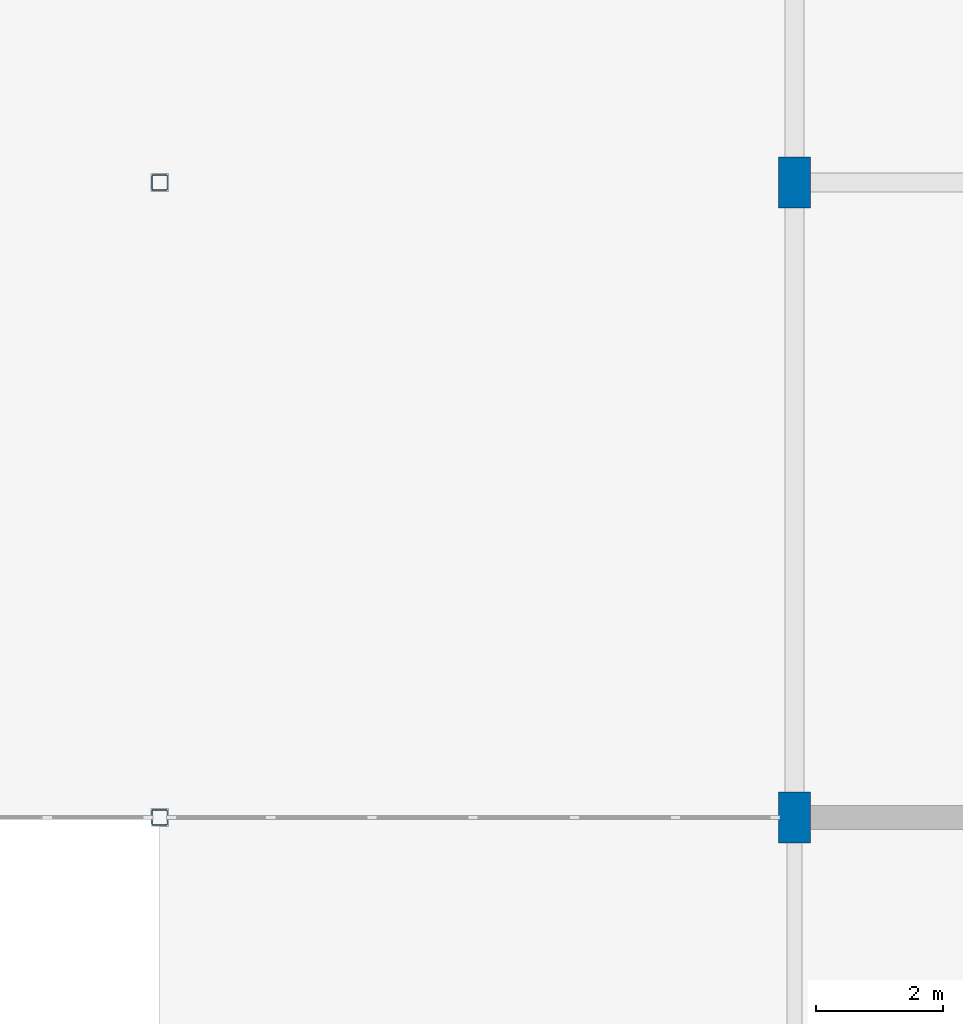
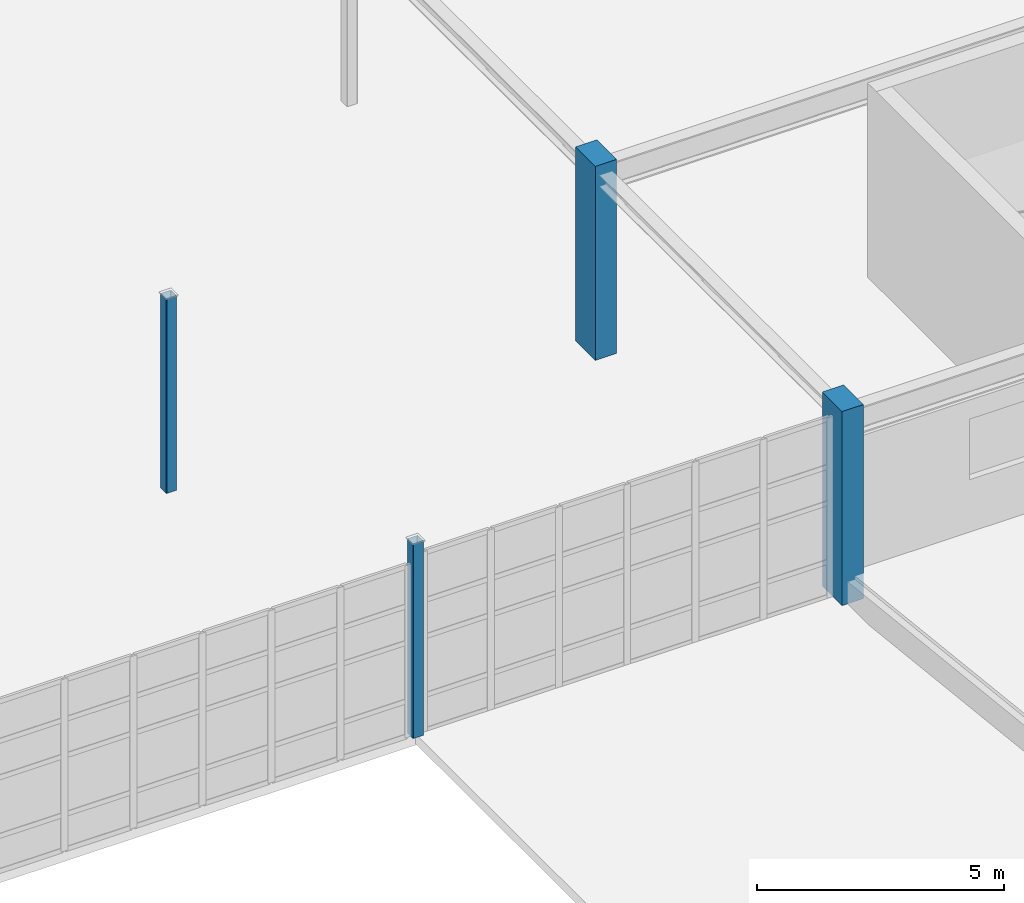
# One storey, part 8 of 139: 4 columns.
"""IFC4 building model written with IfcOpenShell, lengths in metres."""

from ifc_helpers import new_model, si_unit, direction, frame, origin, origin_2d, place, context, subcontext, project, spatial, rectangle, hollow_rectangle, extrude, material, material_profile, profile_set, type_object, element, save


model = new_model("IFC4")

# Units and contexts
model_context = context("Model", 3, precision=1e-05, world=origin(), true_north=direction((0.0, 1.0)))
body_context = subcontext(model_context, "Body", "Model", "MODEL_VIEW")
ifc_project = project(units=[si_unit("LENGTHUNIT", "METRE"), si_unit("AREAUNIT", "SQUARE_METRE"), si_unit("VOLUMEUNIT", "CUBIC_METRE"), si_unit("PLANEANGLEUNIT", "RADIAN"), si_unit("MASSUNIT", "GRAM", prefix="KILO"), si_unit("THERMODYNAMICTEMPERATUREUNIT", "KELVIN"), si_unit("POWERUNIT", "WATT")], contexts=[model_context])

# Site, building, storey
site_placement = place(None, origin())
site = spatial("IfcSite", under=ifc_project, at=site_placement, CompositionType="ELEMENT")
building_placement = place(site_placement, origin())
building = spatial("IfcBuilding", under=site, at=building_placement, Name="Korenveer Ferry Terminal", CompositionType="ELEMENT")
storey_placement = place(building_placement, frame((0.0, 0.0, 5.39990234375)))
storey = spatial("IfcBuildingStorey", under=building, at=storey_placement, Name="L01", CompositionType="ELEMENT", Elevation=5.39990234375)

# Columns
ifc_material_1 = material(Name="Concrete C45/55", Category="concrete")
ifc_material_profile_1 = material_profile(ifc_material_1, rectangle(XDim=0.5, YDim=0.800048828125, at=origin_2d()), Name="RC 500x800")
ifc_profile_set_1 = profile_set([ifc_material_profile_1], Name="Concrete C45/55")
column_type_1 = type_object("IfcColumnType", Name="STR-COL-RC500X800", PredefinedType="COLUMN", material=ifc_profile_set_1)
for number, where, z_axis, x_axis, name in (
    (1, (123.0, 20.0, 0.0), (0.0, 0.0, 1.0), (1.0, 0.0, 0.0), "Column COL-L01-X123-Y20"),
    (2, (123.0, 30.0, 0.0), (0.0, 0.0, 1.0), (1.0, 0.0, 0.0), "Column COL-L01-X123-Y30"),
):
    element("IfcColumn", number, at=place(storey_placement, frame(where, z_axis=z_axis, x_axis=x_axis)), inside=storey, type_object=column_type_1, Name=name, PredefinedType="COLUMN", context=body_context, shape_type="SweptSolid", body=[
        extrude(rectangle(XDim=0.5, YDim=0.800048828125, at=origin_2d()), origin(), (0.0, 0.0, 1.0), 4.800048828125),
    ])
ifc_material_2 = material(Name="Steel S355", Category="steel")
ifc_material_profile_2 = material_profile(ifc_material_2, hollow_rectangle(XDim=0.25, YDim=0.25, WallThickness=0.012451171875, InnerFilletRadius=0.012451171875, OuterFilletRadius=0.018798828125, at=origin_2d()), Name="SHS 250x250x12.5")
ifc_profile_set_2 = profile_set([ifc_material_profile_2], Name="Steel S355")
column_type_2 = type_object("IfcColumnType", Name="STR-COL-SHS250", PredefinedType="COLUMN", material=ifc_profile_set_2)
for number, where, z_axis, x_axis, name in (
    (3, (113.0, 20.0, 0.0), (0.0, 0.0, 1.0), (1.0, 0.0, 0.0), "Column COL-L01-X113-Y20"),
    (4, (113.0, 30.0, 0.0), (0.0, 0.0, 1.0), (1.0, 0.0, 0.0), "Column COL-L01-X113-Y30"),
):
    element("IfcColumn", number, at=place(storey_placement, frame(where, z_axis=z_axis, x_axis=x_axis)), inside=storey, type_object=column_type_2, Name=name, PredefinedType="COLUMN", context=body_context, shape_type="SweptSolid", body=[
        extrude(hollow_rectangle(XDim=0.25, YDim=0.25, WallThickness=0.012451171875, InnerFilletRadius=0.012451171875, OuterFilletRadius=0.018798828125, at=origin_2d()), origin(), (0.0, 0.0, 1.0), 4.800048828125),
    ])

save(model, "model.ifc")
